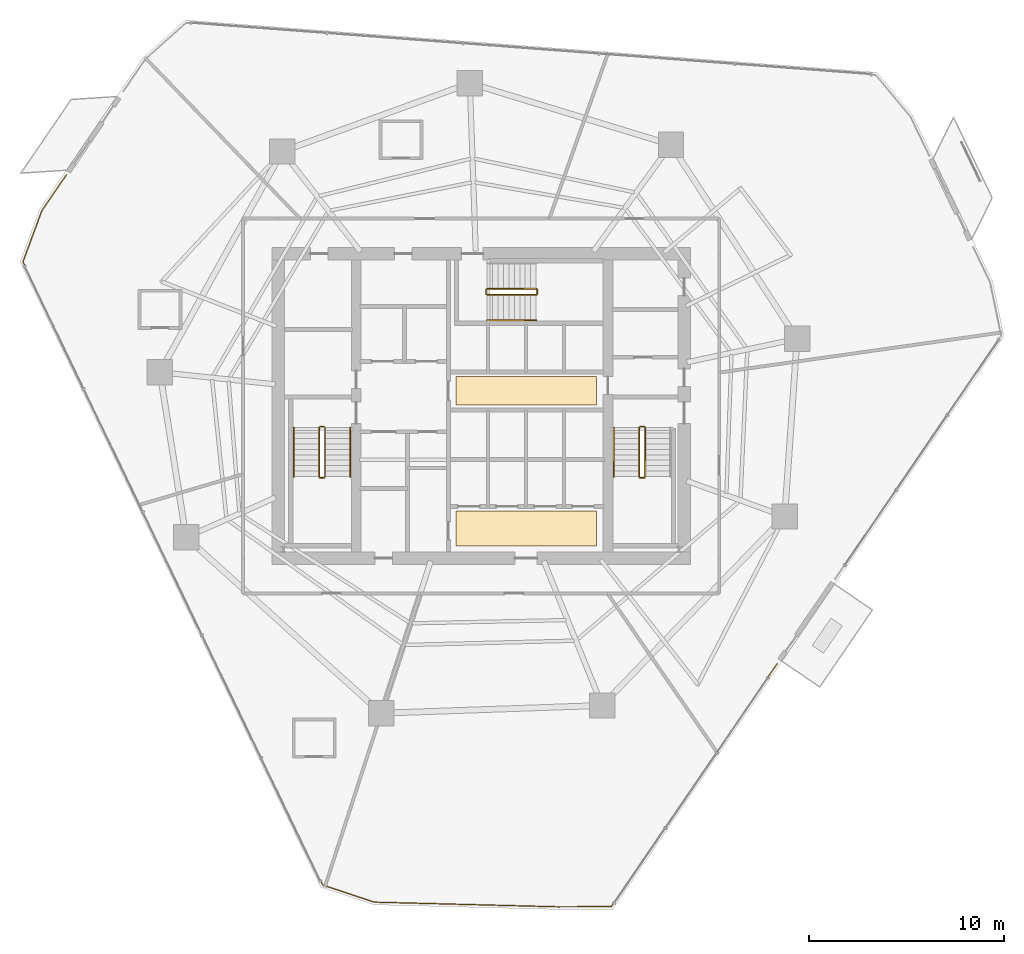
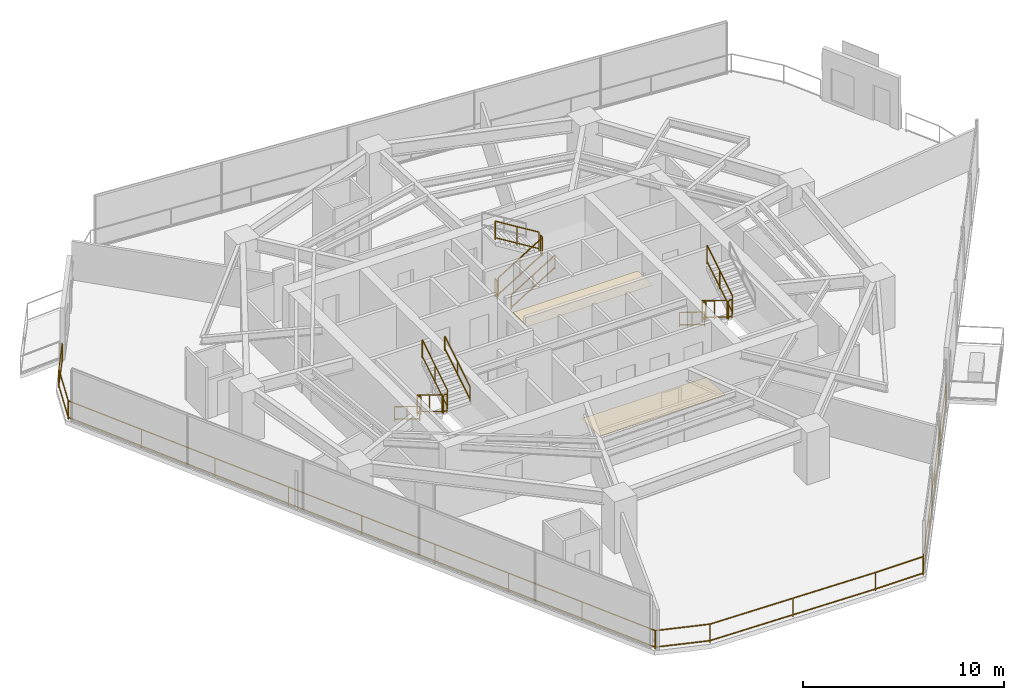
# One storey, part 29 of 30: 17 railings, 2 coverings.
"""IFC4 building model written with IfcOpenShell, lengths in metres."""

from ifc_helpers import new_model, si_unit, direction, frame, origin, origin_2d, place, context, subcontext, project, spatial, rectangle, extrude, material, layer, layer_set, type_object, element, save


model = new_model("IFC4")

# Units and contexts
model_context = context("Model", 3, precision=1e-05, world=origin(), true_north=direction((0.0, 1.0)))
body_context = subcontext(model_context, "Body", "Model", "MODEL_VIEW")
ifc_project = project(units=[si_unit("LENGTHUNIT", "METRE"), si_unit("AREAUNIT", "SQUARE_METRE"), si_unit("VOLUMEUNIT", "CUBIC_METRE"), si_unit("PLANEANGLEUNIT", "RADIAN"), si_unit("MASSUNIT", "GRAM", prefix="KILO")], contexts=[model_context])

# Site, building, storey
site_placement = place(None, origin())
site = spatial("IfcSite", under=ifc_project, at=site_placement, CompositionType="ELEMENT")
building_placement = place(site_placement, origin())
building = spatial("IfcBuilding", under=site, at=building_placement, Name="Qarnah Convention Tower", CompositionType="ELEMENT")
storey_placement = place(building_placement, frame((0.0, 0.0, 51.14990234375)))
storey = spatial("IfcBuildingStorey", under=building, at=storey_placement, Name="L12", CompositionType="ELEMENT", Elevation=51.14990234375)

# Coverings
ifc_material_1 = material(Name="Mineral fibre acoustic ceiling")
ifc_layer_1 = layer(ifc_material_1, 0.02001953125)
ifc_layer_set_1 = layer_set([ifc_layer_1], Name="Mineral fibre acoustic ceiling")
covering_type_1 = type_object("IfcCoveringType", Name="COV-CEIL-20", PredefinedType="CEILING", material=ifc_layer_set_1)
covering_1_placement = place(storey_placement, frame((39.52001953125, 27.179931640625, 2.2900390625), z_axis=(0.0, 0.0, 1.0), x_axis=(1.0, 0.0, 0.0)))
element("IfcCovering", 1, at=covering_1_placement, inside=storey, type_object=covering_type_1, Name="L12 lift lobby acoustic ceiling", PredefinedType="CEILING", context=body_context, shape_type="SweptSolid", body=[
    extrude(rectangle(XDim=7.199951171875, YDim=1.449951171875, at=origin_2d()), origin(), (0.0, 0.0, 1.0), 0.02001953125),
])
ifc_material_2 = material(Name="Porcelain stone floor tile", Category="masonry")
ifc_layer_2 = layer(ifc_material_2, 0.02001953125)
ifc_layer_set_2 = layer_set([ifc_layer_2], Name="Porcelain stone floor tile")
covering_type_2 = type_object("IfcCoveringType", Name="COV-FLOOR-20", PredefinedType="FLOORING", material=ifc_layer_set_2)
covering_2_placement = place(storey_placement, frame((39.52001953125, 20.1201171875, 0.0), z_axis=(0.0, 0.0, 1.0), x_axis=(1.0, 0.0, 0.0)))
element("IfcCovering", 2, at=covering_2_placement, inside=storey, type_object=covering_type_2, Name="L12 lift lobby porcelain stone flooring", PredefinedType="FLOORING", context=body_context, shape_type="SweptSolid", body=[
    extrude(rectangle(XDim=7.199951171875, YDim=1.800048828125, at=origin_2d()), origin(), (0.0, 0.0, 1.0), 0.02001953125),
])

# Railings
ifc_material_3 = material(Name="Black anodised aluminium", Category="aluminium")
railing_type_1 = type_object("IfcRailingType", Name="RL-EXT-GUARD-1150", PredefinedType="GUARDRAIL", material=ifc_material_3)
railing_1_placement = place(storey_placement, frame((52.375, 13.20703125, 0.0)))
element("IfcRailing", 3, at=railing_1_placement, inside=storey, type_object=railing_type_1, Name="L12 slab-edge perimeter safety guard 03", PredefinedType="GUARDRAIL", context=body_context, shape_type="SweptSolid", body=[
    extrude(rectangle(XDim=0.048095703125, YDim=0.048095703125, at=origin_2d()), frame((0.0, 0.0, 1.1259765625), z_axis=(-0.563810868474, -0.825903931817, 0.0), x_axis=(0.825903931817, -0.563810868474, 0.0)), (0.0, 0.0, 1.0), 15.0830078125),
    extrude(rectangle(XDim=0.048095703125, YDim=0.048095703125, at=origin_2d()), frame((0.0, 0.0, 0.1201171875), z_axis=(-0.563810868474, -0.825903931817, 0.0), x_axis=(0.825903931817, -0.563810868474, 0.0)), (0.0, 0.0, 1.0), 15.0830078125),
    extrude(rectangle(XDim=0.048095703125, YDim=0.048095703125, at=origin_2d()), frame((-8.50390625, -12.45703125, 1.1259765625), z_axis=(-0.999993375576, -0.00363989066, 0.0), x_axis=(0.00363989066, -0.999993375576, 0.0)), (0.0, 0.0, 1.0), 2.75),
    extrude(rectangle(XDim=0.048095703125, YDim=0.048095703125, at=origin_2d()), frame((-8.50390625, -12.45703125, 0.1201171875), z_axis=(-0.999993375576, -0.00363989066, 0.0), x_axis=(0.00363989066, -0.999993375576, 0.0)), (0.0, 0.0, 1.0), 2.75),
    extrude(rectangle(XDim=0.048095703125, YDim=0.048095703125, at=origin_2d()), frame((-11.25390625, -12.467041015625, 1.1259765625), z_axis=(-0.999679184802, 0.02532839263, 0.0), x_axis=(-0.02532839263, -0.999679184802, 0.0)), (0.0, 0.0, 1.0), 9.39794921875),
    extrude(rectangle(XDim=0.048095703125, YDim=0.048095703125, at=origin_2d()), frame((-11.25390625, -12.467041015625, 0.1201171875), z_axis=(-0.999679184802, 0.02532839263, 0.0), x_axis=(-0.02532839263, -0.999679184802, 0.0)), (0.0, 0.0, 1.0), 9.39794921875),
    extrude(rectangle(XDim=0.048095703125, YDim=0.048095703125, at=origin_2d()), frame((-20.64892578125, -12.22900390625, 1.1259765625), z_axis=(-0.949329490975, 0.314282544161, 0.0), x_axis=(-0.314282544161, -0.949329490975, 0.0)), (0.0, 0.0, 1.0), 2.787109375),
    extrude(rectangle(XDim=0.048095703125, YDim=0.048095703125, at=origin_2d()), frame((-20.64892578125, -12.22900390625, 0.1201171875), z_axis=(-0.949329490975, 0.314282544161, 0.0), x_axis=(-0.314282544161, -0.949329490975, 0.0)), (0.0, 0.0, 1.0), 2.787109375),
    extrude(rectangle(XDim=0.048095703125, YDim=0.048095703125, at=origin_2d()), frame((-23.294921875, -11.35302734375, 1.1259765625), z_axis=(-0.433342431772, 0.901229347517, 0.0), x_axis=(-0.901229347517, -0.433342431772, 0.0)), (0.0, 0.0, 1.0), 35.43603515625),
    extrude(rectangle(XDim=0.048095703125, YDim=0.048095703125, at=origin_2d()), frame((-23.294921875, -11.35302734375, 0.1201171875), z_axis=(-0.433342431772, 0.901229347517, 0.0), x_axis=(-0.901229347517, -0.433342431772, 0.0)), (0.0, 0.0, 1.0), 35.43603515625),
    extrude(rectangle(XDim=0.048095703125, YDim=0.048095703125, at=origin_2d()), frame((-38.65087890625, 20.5830078125, 1.1259765625), z_axis=(0.347237420636, 0.937777251649, 0.0), x_axis=(-0.937777251649, 0.347237420636, 0.0)), (0.0, 0.0, 1.0), 2.79052734375),
    extrude(rectangle(XDim=0.048095703125, YDim=0.048095703125, at=origin_2d()), frame((-38.65087890625, 20.5830078125, 0.1201171875), z_axis=(0.347237420636, 0.937777251649, 0.0), x_axis=(-0.937777251649, 0.347237420636, 0.0)), (0.0, 0.0, 1.0), 2.79052734375),
    extrude(rectangle(XDim=0.048095703125, YDim=0.048095703125, at=origin_2d()), frame((-37.681884765625, 23.199951171875, 1.1259765625), z_axis=(0.563910669826, 0.825835792671, 0.0), x_axis=(-0.825835792671, 0.563910669826, 0.0)), (0.0, 0.0, 1.0), 2.23046875),
    extrude(rectangle(XDim=0.048095703125, YDim=0.048095703125, at=origin_2d()), frame((-37.681884765625, 23.199951171875, 0.1201171875), z_axis=(0.563910669826, 0.825835792671, 0.0), x_axis=(-0.825835792671, 0.563910669826, 0.0)), (0.0, 0.0, 1.0), 2.23046875),
    extrude(rectangle(XDim=0.0419921875, YDim=0.0419921875, at=origin_2d()), origin(), (0.0, 0.0, 1.0), 1.101806640625),
    extrude(rectangle(XDim=0.0419921875, YDim=0.0419921875, at=origin_2d()), frame((-2.1259765625, -3.1142578125, 0.0)), (0.0, 0.0, 1.0), 1.101806640625),
    extrude(rectangle(XDim=0.0419921875, YDim=0.0419921875, at=origin_2d()), frame((-4.251953125, -6.228515625, 0.0)), (0.0, 0.0, 1.0), 1.101806640625),
    extrude(rectangle(XDim=0.0419921875, YDim=0.0419921875, at=origin_2d()), frame((-6.3779296875, -9.3427734375, 0.0)), (0.0, 0.0, 1.0), 1.101806640625),
    extrude(rectangle(XDim=0.0419921875, YDim=0.0419921875, at=origin_2d()), frame((-8.50390625, -12.45703125, 0.0)), (0.0, 0.0, 1.0), 1.101806640625),
    extrude(rectangle(XDim=0.0419921875, YDim=0.0419921875, at=origin_2d()), frame((-11.25390625, -12.467041015625, 0.0)), (0.0, 0.0, 1.0), 1.101806640625),
    extrude(rectangle(XDim=0.0419921875, YDim=0.0419921875, at=origin_2d()), frame((-15.951416015625, -12.34814453125, 0.0)), (0.0, 0.0, 1.0), 1.101806640625),
    extrude(rectangle(XDim=0.0419921875, YDim=0.0419921875, at=origin_2d()), frame((-20.64892578125, -12.22900390625, 0.0)), (0.0, 0.0, 1.0), 1.101806640625),
    extrude(rectangle(XDim=0.0419921875, YDim=0.0419921875, at=origin_2d()), frame((-23.294921875, -11.35302734375, 0.0)), (0.0, 0.0, 1.0), 1.101806640625),
    extrude(rectangle(XDim=0.0419921875, YDim=0.0419921875, at=origin_2d()), frame((-25.21435546875, -7.361083984375, 0.0)), (0.0, 0.0, 1.0), 1.101806640625),
    extrude(rectangle(XDim=0.0419921875, YDim=0.0419921875, at=origin_2d()), frame((-27.1337890625, -3.369140625, 0.0)), (0.0, 0.0, 1.0), 1.101806640625),
    extrude(rectangle(XDim=0.0419921875, YDim=0.0419921875, at=origin_2d()), frame((-29.053466796875, 0.623046875, 0.0)), (0.0, 0.0, 1.0), 1.101806640625),
    extrude(rectangle(XDim=0.0419921875, YDim=0.0419921875, at=origin_2d()), frame((-30.972900390625, 4.614990234375, 0.0)), (0.0, 0.0, 1.0), 1.101806640625),
    extrude(rectangle(XDim=0.0419921875, YDim=0.0419921875, at=origin_2d()), frame((-32.892333984375, 8.60693359375, 0.0)), (0.0, 0.0, 1.0), 1.101806640625),
    extrude(rectangle(XDim=0.0419921875, YDim=0.0419921875, at=origin_2d()), frame((-34.81201171875, 12.59912109375, 0.0)), (0.0, 0.0, 1.0), 1.101806640625),
    extrude(rectangle(XDim=0.0419921875, YDim=0.0419921875, at=origin_2d()), frame((-36.7314453125, 16.591064453125, 0.0)), (0.0, 0.0, 1.0), 1.101806640625),
    extrude(rectangle(XDim=0.0419921875, YDim=0.0419921875, at=origin_2d()), frame((-38.65087890625, 20.5830078125, 0.0)), (0.0, 0.0, 1.0), 1.101806640625),
    extrude(rectangle(XDim=0.0419921875, YDim=0.0419921875, at=origin_2d()), frame((-37.681884765625, 23.199951171875, 0.0)), (0.0, 0.0, 1.0), 1.101806640625),
    extrude(rectangle(XDim=0.0419921875, YDim=0.0419921875, at=origin_2d()), frame((-36.424072265625, 25.0419921875, 0.0)), (0.0, 0.0, 1.0), 1.101806640625),
])
ifc_material_4 = material(Name="Structural steel S355JR", Category="steel")
railing_type_2 = type_object("IfcRailingType", Name="RL-STAIR-GUARD-1150", PredefinedType="GUARDRAIL", material=ifc_material_4)
railing_2_placement = place(storey_placement, frame((28.89990234375, 25.300048828125, 0.172607421875)))
element("IfcRailing", 4, at=railing_2_placement, inside=storey, type_object=railing_type_2, Name="L12 ST-1 stair guard 1", PredefinedType="GUARDRAIL", context=body_context, shape_type="SweptSolid", body=[
    extrude(rectangle(XDim=0.048095703125, YDim=0.048095703125, at=origin_2d()), frame((0.0, 0.0, 1.1259765625), z_axis=(0.0, -0.851400495292, 0.524516154772), x_axis=(1.0, 0.0, 0.0)), (0.0, 0.0, 1.0), 2.9599609375),
    extrude(rectangle(XDim=0.048095703125, YDim=0.048095703125, at=origin_2d()), frame((0.0, 0.0, 0.1201171875), z_axis=(0.0, -0.851400495292, 0.524516154772), x_axis=(1.0, 0.0, 0.0)), (0.0, 0.0, 1.0), 2.9599609375),
    extrude(rectangle(XDim=0.0419921875, YDim=0.0419921875, at=origin_2d()), origin(), (0.0, 0.0, 1.0), 1.101806640625),
    extrude(rectangle(XDim=0.0419921875, YDim=0.0419921875, at=origin_2d()), frame((0.0, -1.260009765625, 0.7763671875)), (0.0, 0.0, 1.0), 1.101806640625),
    extrude(rectangle(XDim=0.0419921875, YDim=0.0419921875, at=origin_2d()), frame((0.0, -2.52001953125, 1.552490234375)), (0.0, 0.0, 1.0), 1.101806640625),
])
railing_3_placement = place(storey_placement, frame((28.949951171875, 22.72998046875, 1.72509765625)))
element("IfcRailing", 5, at=railing_3_placement, inside=storey, type_object=railing_type_2, Name="L12 ST-1 stair guard 2", PredefinedType="GUARDRAIL", context=body_context, shape_type="SweptSolid", body=[
    extrude(rectangle(XDim=0.048095703125, YDim=0.048095703125, at=origin_2d()), frame((0.0, 0.0, 1.1259765625), z_axis=(1.0, 0.0, 0.0), x_axis=(0.0, 1.0, 0.0)), (0.0, 0.0, 1.0), 0.199951171875),
    extrude(rectangle(XDim=0.048095703125, YDim=0.048095703125, at=origin_2d()), frame((0.0, 0.0, 0.1201171875), z_axis=(1.0, 0.0, 0.0), x_axis=(0.0, 1.0, 0.0)), (0.0, 0.0, 1.0), 0.199951171875),
    extrude(rectangle(XDim=0.0419921875, YDim=0.0419921875, at=origin_2d()), origin(), (0.0, 0.0, 1.0), 1.101806640625),
    extrude(rectangle(XDim=0.0419921875, YDim=0.0419921875, at=origin_2d()), frame((0.199951171875, 0.0, 0.0)), (0.0, 0.0, 1.0), 1.101806640625),
])
railing_4_placement = place(storey_placement, frame((29.199951171875, 22.780029296875, 1.897705078125)))
element("IfcRailing", 6, at=railing_4_placement, inside=storey, type_object=railing_type_2, Name="L12 ST-1 stair guard 3", PredefinedType="GUARDRAIL", context=body_context, shape_type="SweptSolid", body=[
    extrude(rectangle(XDim=0.048095703125, YDim=0.048095703125, at=origin_2d()), frame((0.0, 0.0, 1.1259765625), z_axis=(0.0, 0.851400495292, 0.524516154772), x_axis=(-1.0, 0.0, 0.0)), (0.0, 0.0, 1.0), 2.9599609375),
    extrude(rectangle(XDim=0.048095703125, YDim=0.048095703125, at=origin_2d()), frame((0.0, 0.0, 0.1201171875), z_axis=(0.0, 0.851400495292, 0.524516154772), x_axis=(-1.0, 0.0, 0.0)), (0.0, 0.0, 1.0), 2.9599609375),
    extrude(rectangle(XDim=0.0419921875, YDim=0.0419921875, at=origin_2d()), origin(), (0.0, 0.0, 1.0), 1.101806640625),
    extrude(rectangle(XDim=0.0419921875, YDim=0.0419921875, at=origin_2d()), frame((0.0, 1.260009765625, 0.7763671875)), (0.0, 0.0, 1.0), 1.101806640625),
    extrude(rectangle(XDim=0.0419921875, YDim=0.0419921875, at=origin_2d()), frame((0.0, 2.52001953125, 1.552490234375)), (0.0, 0.0, 1.0), 1.101806640625),
])
railing_5_placement = place(storey_placement, frame((28.949951171875, 25.35009765625, 0.0)))
element("IfcRailing", 7, at=railing_5_placement, inside=storey, type_object=railing_type_2, Name="L12 ST-1 stair guard 4", PredefinedType="GUARDRAIL", context=body_context, shape_type="SweptSolid", body=[
    extrude(rectangle(XDim=0.048095703125, YDim=0.048095703125, at=origin_2d()), frame((0.0, 0.0, 1.1259765625), z_axis=(1.0, 0.0, 0.0), x_axis=(0.0, 1.0, 0.0)), (0.0, 0.0, 1.0), 0.199951171875),
    extrude(rectangle(XDim=0.048095703125, YDim=0.048095703125, at=origin_2d()), frame((0.0, 0.0, 0.1201171875), z_axis=(1.0, 0.0, 0.0), x_axis=(0.0, 1.0, 0.0)), (0.0, 0.0, 1.0), 0.199951171875),
    extrude(rectangle(XDim=0.0419921875, YDim=0.0419921875, at=origin_2d()), origin(), (0.0, 0.0, 1.0), 1.101806640625),
    extrude(rectangle(XDim=0.0419921875, YDim=0.0419921875, at=origin_2d()), frame((0.199951171875, 0.0, 0.0)), (0.0, 0.0, 1.0), 1.101806640625),
])
railing_6_placement = place(storey_placement, frame((45.300048828125, 25.300048828125, 0.172607421875)))
element("IfcRailing", 8, at=railing_6_placement, inside=storey, type_object=railing_type_2, Name="L12 ST-2 stair guard 1", PredefinedType="GUARDRAIL", context=body_context, shape_type="SweptSolid", body=[
    extrude(rectangle(XDim=0.048095703125, YDim=0.048095703125, at=origin_2d()), frame((0.0, 0.0, 1.1259765625), z_axis=(0.0, -0.851400495292, 0.524516154772), x_axis=(1.0, 0.0, 0.0)), (0.0, 0.0, 1.0), 2.9599609375),
    extrude(rectangle(XDim=0.048095703125, YDim=0.048095703125, at=origin_2d()), frame((0.0, 0.0, 0.1201171875), z_axis=(0.0, -0.851400495292, 0.524516154772), x_axis=(1.0, 0.0, 0.0)), (0.0, 0.0, 1.0), 2.9599609375),
    extrude(rectangle(XDim=0.0419921875, YDim=0.0419921875, at=origin_2d()), origin(), (0.0, 0.0, 1.0), 1.101806640625),
    extrude(rectangle(XDim=0.0419921875, YDim=0.0419921875, at=origin_2d()), frame((0.0, -1.260009765625, 0.7763671875)), (0.0, 0.0, 1.0), 1.101806640625),
    extrude(rectangle(XDim=0.0419921875, YDim=0.0419921875, at=origin_2d()), frame((0.0, -2.52001953125, 1.552490234375)), (0.0, 0.0, 1.0), 1.101806640625),
])
railing_7_placement = place(storey_placement, frame((45.35009765625, 22.72998046875, 1.72509765625)))
element("IfcRailing", 9, at=railing_7_placement, inside=storey, type_object=railing_type_2, Name="L12 ST-2 stair guard 2", PredefinedType="GUARDRAIL", context=body_context, shape_type="SweptSolid", body=[
    extrude(rectangle(XDim=0.048095703125, YDim=0.048095703125, at=origin_2d()), frame((0.0, 0.0, 1.1259765625), z_axis=(1.0, 0.0, 0.0), x_axis=(0.0, 1.0, 0.0)), (0.0, 0.0, 1.0), 0.199951171875),
    extrude(rectangle(XDim=0.048095703125, YDim=0.048095703125, at=origin_2d()), frame((0.0, 0.0, 0.1201171875), z_axis=(1.0, 0.0, 0.0), x_axis=(0.0, 1.0, 0.0)), (0.0, 0.0, 1.0), 0.199951171875),
    extrude(rectangle(XDim=0.0419921875, YDim=0.0419921875, at=origin_2d()), origin(), (0.0, 0.0, 1.0), 1.101806640625),
    extrude(rectangle(XDim=0.0419921875, YDim=0.0419921875, at=origin_2d()), frame((0.199951171875, 0.0, 0.0)), (0.0, 0.0, 1.0), 1.101806640625),
])
railing_8_placement = place(storey_placement, frame((45.60009765625, 22.780029296875, 1.897705078125)))
element("IfcRailing", 10, at=railing_8_placement, inside=storey, type_object=railing_type_2, Name="L12 ST-2 stair guard 3", PredefinedType="GUARDRAIL", context=body_context, shape_type="SweptSolid", body=[
    extrude(rectangle(XDim=0.048095703125, YDim=0.048095703125, at=origin_2d()), frame((0.0, 0.0, 1.1259765625), z_axis=(0.0, 0.851400495292, 0.524516154772), x_axis=(-1.0, 0.0, 0.0)), (0.0, 0.0, 1.0), 2.9599609375),
    extrude(rectangle(XDim=0.048095703125, YDim=0.048095703125, at=origin_2d()), frame((0.0, 0.0, 0.1201171875), z_axis=(0.0, 0.851400495292, 0.524516154772), x_axis=(-1.0, 0.0, 0.0)), (0.0, 0.0, 1.0), 2.9599609375),
    extrude(rectangle(XDim=0.0419921875, YDim=0.0419921875, at=origin_2d()), origin(), (0.0, 0.0, 1.0), 1.101806640625),
    extrude(rectangle(XDim=0.0419921875, YDim=0.0419921875, at=origin_2d()), frame((0.0, 1.260009765625, 0.7763671875)), (0.0, 0.0, 1.0), 1.101806640625),
    extrude(rectangle(XDim=0.0419921875, YDim=0.0419921875, at=origin_2d()), frame((0.0, 2.52001953125, 1.552490234375)), (0.0, 0.0, 1.0), 1.101806640625),
])
railing_9_placement = place(storey_placement, frame((45.35009765625, 25.35009765625, 0.0)))
element("IfcRailing", 11, at=railing_9_placement, inside=storey, type_object=railing_type_2, Name="L12 ST-2 stair guard 4", PredefinedType="GUARDRAIL", context=body_context, shape_type="SweptSolid", body=[
    extrude(rectangle(XDim=0.048095703125, YDim=0.048095703125, at=origin_2d()), frame((0.0, 0.0, 1.1259765625), z_axis=(1.0, 0.0, 0.0), x_axis=(0.0, 1.0, 0.0)), (0.0, 0.0, 1.0), 0.199951171875),
    extrude(rectangle(XDim=0.048095703125, YDim=0.048095703125, at=origin_2d()), frame((0.0, 0.0, 0.1201171875), z_axis=(1.0, 0.0, 0.0), x_axis=(0.0, 1.0, 0.0)), (0.0, 0.0, 1.0), 0.199951171875),
    extrude(rectangle(XDim=0.0419921875, YDim=0.0419921875, at=origin_2d()), origin(), (0.0, 0.0, 1.0), 1.101806640625),
    extrude(rectangle(XDim=0.0419921875, YDim=0.0419921875, at=origin_2d()), frame((0.199951171875, 0.0, 0.0)), (0.0, 0.0, 1.0), 1.101806640625),
])
railing_10_placement = place(storey_placement, frame((37.5, 32.10009765625, 0.172607421875)))
element("IfcRailing", 12, at=railing_10_placement, inside=storey, type_object=railing_type_2, Name="L12 ST-3 stair guard 1", PredefinedType="GUARDRAIL", context=body_context, shape_type="SweptSolid", body=[
    extrude(rectangle(XDim=0.048095703125, YDim=0.048095703125, at=origin_2d()), frame((0.0, 0.0, 1.1259765625), z_axis=(0.851400495292, 0.0, 0.524516154772), x_axis=(0.0, 1.0, 0.0)), (0.0, 0.0, 1.0), 2.9599609375),
    extrude(rectangle(XDim=0.048095703125, YDim=0.048095703125, at=origin_2d()), frame((0.0, 0.0, 0.1201171875), z_axis=(0.851400495292, 0.0, 0.524516154772), x_axis=(0.0, 1.0, 0.0)), (0.0, 0.0, 1.0), 2.9599609375),
    extrude(rectangle(XDim=0.0419921875, YDim=0.0419921875, at=origin_2d()), origin(), (0.0, 0.0, 1.0), 1.101806640625),
    extrude(rectangle(XDim=0.0419921875, YDim=0.0419921875, at=origin_2d()), frame((1.260009765625, 0.0, 0.7763671875)), (0.0, 0.0, 1.0), 1.101806640625),
    extrude(rectangle(XDim=0.0419921875, YDim=0.0419921875, at=origin_2d()), frame((2.52001953125, 0.0, 1.552490234375)), (0.0, 0.0, 1.0), 1.101806640625),
])
railing_11_placement = place(storey_placement, frame((40.070068359375, 32.14990234375, 1.72509765625)))
element("IfcRailing", 13, at=railing_11_placement, inside=storey, type_object=railing_type_2, Name="L12 ST-3 stair guard 2", PredefinedType="GUARDRAIL", context=body_context, shape_type="SweptSolid", body=[
    extrude(rectangle(XDim=0.048095703125, YDim=0.048095703125, at=origin_2d()), frame((0.0, 0.0, 1.1259765625), z_axis=(0.0, 1.0, 0.0), x_axis=(-1.0, 0.0, 0.0)), (0.0, 0.0, 1.0), 0.2001953125),
    extrude(rectangle(XDim=0.048095703125, YDim=0.048095703125, at=origin_2d()), frame((0.0, 0.0, 0.1201171875), z_axis=(0.0, 1.0, 0.0), x_axis=(-1.0, 0.0, 0.0)), (0.0, 0.0, 1.0), 0.2001953125),
    extrude(rectangle(XDim=0.0419921875, YDim=0.0419921875, at=origin_2d()), origin(), (0.0, 0.0, 1.0), 1.101806640625),
    extrude(rectangle(XDim=0.0419921875, YDim=0.0419921875, at=origin_2d()), frame((0.0, 0.2001953125, 0.0)), (0.0, 0.0, 1.0), 1.101806640625),
])
railing_12_placement = place(storey_placement, frame((40.02001953125, 32.39990234375, 1.897705078125)))
element("IfcRailing", 14, at=railing_12_placement, inside=storey, type_object=railing_type_2, Name="L12 ST-3 stair guard 3", PredefinedType="GUARDRAIL", context=body_context, shape_type="SweptSolid", body=[
    extrude(rectangle(XDim=0.048095703125, YDim=0.048095703125, at=origin_2d()), frame((0.0, 0.0, 1.1259765625), z_axis=(-0.851400495292, 0.0, 0.524516154772), x_axis=(0.0, -1.0, 0.0)), (0.0, 0.0, 1.0), 2.9599609375),
    extrude(rectangle(XDim=0.048095703125, YDim=0.048095703125, at=origin_2d()), frame((0.0, 0.0, 0.1201171875), z_axis=(-0.851400495292, 0.0, 0.524516154772), x_axis=(0.0, -1.0, 0.0)), (0.0, 0.0, 1.0), 2.9599609375),
    extrude(rectangle(XDim=0.0419921875, YDim=0.0419921875, at=origin_2d()), origin(), (0.0, 0.0, 1.0), 1.101806640625),
    extrude(rectangle(XDim=0.0419921875, YDim=0.0419921875, at=origin_2d()), frame((-1.260009765625, 0.0, 0.7763671875)), (0.0, 0.0, 1.0), 1.101806640625),
    extrude(rectangle(XDim=0.0419921875, YDim=0.0419921875, at=origin_2d()), frame((-2.52001953125, 0.0, 1.552490234375)), (0.0, 0.0, 1.0), 1.101806640625),
])
railing_13_placement = place(storey_placement, frame((37.449951171875, 32.14990234375, 0.0)))
element("IfcRailing", 15, at=railing_13_placement, inside=storey, type_object=railing_type_2, Name="L12 ST-3 stair guard 4", PredefinedType="GUARDRAIL", context=body_context, shape_type="SweptSolid", body=[
    extrude(rectangle(XDim=0.048095703125, YDim=0.048095703125, at=origin_2d()), frame((0.0, 0.0, 1.1259765625), z_axis=(0.0, 1.0, 0.0), x_axis=(-1.0, 0.0, 0.0)), (0.0, 0.0, 1.0), 0.2001953125),
    extrude(rectangle(XDim=0.048095703125, YDim=0.048095703125, at=origin_2d()), frame((0.0, 0.0, 0.1201171875), z_axis=(0.0, 1.0, 0.0), x_axis=(-1.0, 0.0, 0.0)), (0.0, 0.0, 1.0), 0.2001953125),
    extrude(rectangle(XDim=0.0419921875, YDim=0.0419921875, at=origin_2d()), origin(), (0.0, 0.0, 1.0), 1.101806640625),
    extrude(rectangle(XDim=0.0419921875, YDim=0.0419921875, at=origin_2d()), frame((0.0, 0.2001953125, 0.0)), (0.0, 0.0, 1.0), 1.101806640625),
])
railing_type_3 = type_object("IfcRailingType", Name="RL-STAIR-HAND-900", PredefinedType="HANDRAIL", material=ifc_material_4)
railing_14_placement = place(storey_placement, frame((27.60009765625, 25.300048828125, 0.172607421875)))
element("IfcRailing", 16, at=railing_14_placement, inside=storey, type_object=railing_type_3, Name="L12 ST-1 stair handrail 1", PredefinedType="HANDRAIL", context=body_context, shape_type="SweptSolid", body=[
    extrude(rectangle(XDim=0.048095703125, YDim=0.048095703125, at=origin_2d()), frame((0.0, 0.0, 0.8759765625), z_axis=(0.0, -0.851400495292, 0.524516154772), x_axis=(1.0, 0.0, 0.0)), (0.0, 0.0, 1.0), 2.9599609375),
    extrude(rectangle(XDim=0.048095703125, YDim=0.048095703125, at=origin_2d()), frame((0.0, 0.0, 0.1201171875), z_axis=(0.0, -0.851400495292, 0.524516154772), x_axis=(1.0, 0.0, 0.0)), (0.0, 0.0, 1.0), 2.9599609375),
    extrude(rectangle(XDim=0.0419921875, YDim=0.0419921875, at=origin_2d()), origin(), (0.0, 0.0, 1.0), 0.851806640625),
    extrude(rectangle(XDim=0.0419921875, YDim=0.0419921875, at=origin_2d()), frame((0.0, -1.260009765625, 0.7763671875)), (0.0, 0.0, 1.0), 0.851806640625),
    extrude(rectangle(XDim=0.0419921875, YDim=0.0419921875, at=origin_2d()), frame((0.0, -2.52001953125, 1.552490234375)), (0.0, 0.0, 1.0), 0.851806640625),
])
railing_15_placement = place(storey_placement, frame((30.5, 22.780029296875, 1.897705078125)))
element("IfcRailing", 17, at=railing_15_placement, inside=storey, type_object=railing_type_3, Name="L12 ST-1 stair handrail 2", PredefinedType="HANDRAIL", context=body_context, shape_type="SweptSolid", body=[
    extrude(rectangle(XDim=0.048095703125, YDim=0.048095703125, at=origin_2d()), frame((0.0, 0.0, 0.8759765625), z_axis=(0.0, 0.851400495292, 0.524516154772), x_axis=(-1.0, 0.0, 0.0)), (0.0, 0.0, 1.0), 2.9599609375),
    extrude(rectangle(XDim=0.048095703125, YDim=0.048095703125, at=origin_2d()), frame((0.0, 0.0, 0.1201171875), z_axis=(0.0, 0.851400495292, 0.524516154772), x_axis=(-1.0, 0.0, 0.0)), (0.0, 0.0, 1.0), 2.9599609375),
    extrude(rectangle(XDim=0.0419921875, YDim=0.0419921875, at=origin_2d()), origin(), (0.0, 0.0, 1.0), 0.851806640625),
    extrude(rectangle(XDim=0.0419921875, YDim=0.0419921875, at=origin_2d()), frame((0.0, 1.260009765625, 0.7763671875)), (0.0, 0.0, 1.0), 0.851806640625),
    extrude(rectangle(XDim=0.0419921875, YDim=0.0419921875, at=origin_2d()), frame((0.0, 2.52001953125, 1.552490234375)), (0.0, 0.0, 1.0), 0.851806640625),
])
railing_16_placement = place(storey_placement, frame((44.0, 25.300048828125, 0.172607421875)))
element("IfcRailing", 18, at=railing_16_placement, inside=storey, type_object=railing_type_3, Name="L12 ST-2 stair handrail 1", PredefinedType="HANDRAIL", context=body_context, shape_type="SweptSolid", body=[
    extrude(rectangle(XDim=0.048095703125, YDim=0.048095703125, at=origin_2d()), frame((0.0, 0.0, 0.8759765625), z_axis=(0.0, -0.851400495292, 0.524516154772), x_axis=(1.0, 0.0, 0.0)), (0.0, 0.0, 1.0), 2.9599609375),
    extrude(rectangle(XDim=0.048095703125, YDim=0.048095703125, at=origin_2d()), frame((0.0, 0.0, 0.1201171875), z_axis=(0.0, -0.851400495292, 0.524516154772), x_axis=(1.0, 0.0, 0.0)), (0.0, 0.0, 1.0), 2.9599609375),
    extrude(rectangle(XDim=0.0419921875, YDim=0.0419921875, at=origin_2d()), origin(), (0.0, 0.0, 1.0), 0.851806640625),
    extrude(rectangle(XDim=0.0419921875, YDim=0.0419921875, at=origin_2d()), frame((0.0, -1.260009765625, 0.7763671875)), (0.0, 0.0, 1.0), 0.851806640625),
    extrude(rectangle(XDim=0.0419921875, YDim=0.0419921875, at=origin_2d()), frame((0.0, -2.52001953125, 1.552490234375)), (0.0, 0.0, 1.0), 0.851806640625),
])
railing_17_placement = place(storey_placement, frame((37.5, 30.800048828125, 0.172607421875)))
element("IfcRailing", 19, at=railing_17_placement, inside=storey, type_object=railing_type_3, Name="L12 ST-3 stair handrail 1", PredefinedType="HANDRAIL", context=body_context, shape_type="SweptSolid", body=[
    extrude(rectangle(XDim=0.048095703125, YDim=0.048095703125, at=origin_2d()), frame((0.0, 0.0, 0.8759765625), z_axis=(0.851400495292, 0.0, 0.524516154772), x_axis=(0.0, 1.0, 0.0)), (0.0, 0.0, 1.0), 2.9599609375),
    extrude(rectangle(XDim=0.048095703125, YDim=0.048095703125, at=origin_2d()), frame((0.0, 0.0, 0.1201171875), z_axis=(0.851400495292, 0.0, 0.524516154772), x_axis=(0.0, 1.0, 0.0)), (0.0, 0.0, 1.0), 2.9599609375),
    extrude(rectangle(XDim=0.0419921875, YDim=0.0419921875, at=origin_2d()), origin(), (0.0, 0.0, 1.0), 0.851806640625),
    extrude(rectangle(XDim=0.0419921875, YDim=0.0419921875, at=origin_2d()), frame((1.260009765625, 0.0, 0.7763671875)), (0.0, 0.0, 1.0), 0.851806640625),
    extrude(rectangle(XDim=0.0419921875, YDim=0.0419921875, at=origin_2d()), frame((2.52001953125, 0.0, 1.552490234375)), (0.0, 0.0, 1.0), 0.851806640625),
])

save(model, "model.ifc")
